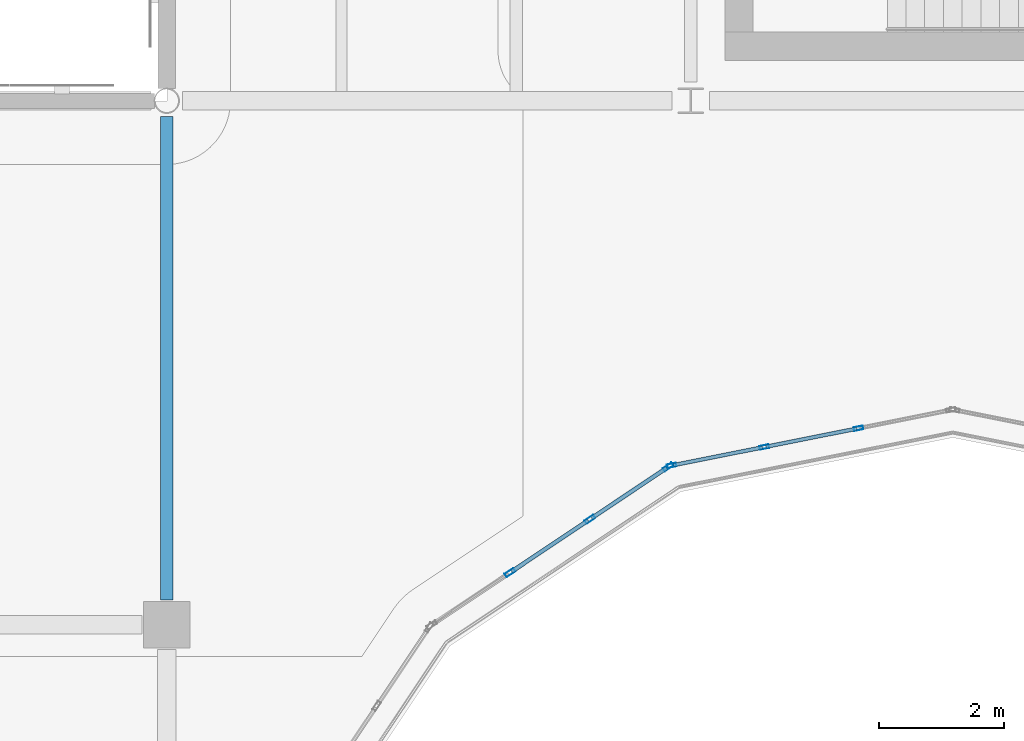
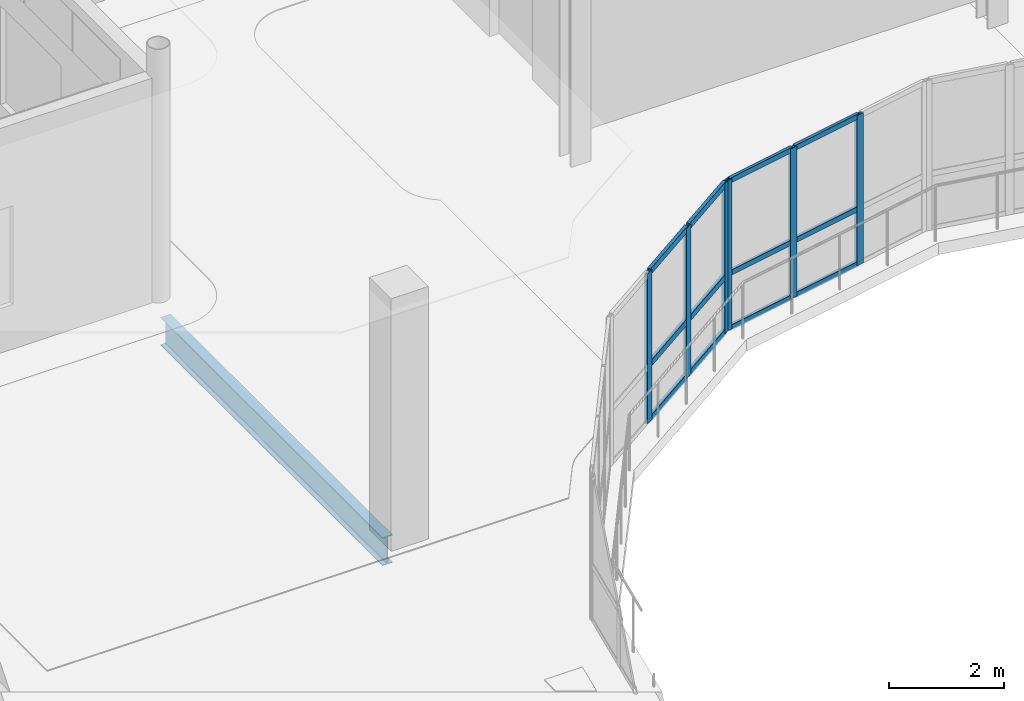
# One storey, part 22 of 110: 18 members, 1 beam, 2 elements without a shape of their own.
"""IFC4 building model written with IfcOpenShell, lengths in metres."""

from ifc_helpers import new_model, si_unit, direction, frame, origin, origin_2d, place, context, subcontext, project, spatial, hollow_rectangle, i_section, extrude, material, layer, layer_set, material_profile, profile_set, type_object, element, aggregate, save


model = new_model("IFC4")

# Units and contexts
model_context = context("Model", 3, precision=1e-05, world=origin(), true_north=direction((0.0, 1.0)))
body_context = subcontext(model_context, "Body", "Model", "MODEL_VIEW")
ifc_project = project(units=[si_unit("LENGTHUNIT", "METRE"), si_unit("AREAUNIT", "SQUARE_METRE"), si_unit("VOLUMEUNIT", "CUBIC_METRE"), si_unit("PLANEANGLEUNIT", "RADIAN"), si_unit("MASSUNIT", "GRAM", prefix="KILO"), si_unit("THERMODYNAMICTEMPERATUREUNIT", "KELVIN")], contexts=[model_context])

# Site, building, storey
site_placement = place(None, origin())
site = spatial("IfcSite", under=ifc_project, at=site_placement, CompositionType="ELEMENT")
building_placement = place(site_placement, origin())
building = spatial("IfcBuilding", under=site, at=building_placement, Name="Lustrewick Department Store", CompositionType="ELEMENT")
storey_placement = place(building_placement, frame((0.0, 0.0, 6.0)))
storey = spatial("IfcBuildingStorey", under=building, at=storey_placement, Name="L02", CompositionType="ELEMENT", Elevation=6.0)

# Curtain wall, members
ifc_material_1 = material(Name="Thermally broken aluminium 6063-T5", Category="aluminium")
ifc_layer_1 = layer(ifc_material_1, 0.169921875, Name="Thermally broken aluminium 6063-T5")
ifc_layer_set_1 = layer_set([ifc_layer_1], Name="Thermally broken aluminium 6063-T5")
curtain_wall_type_1 = type_object("IfcCurtainWallType", Name="CW16", PredefinedType="NOTDEFINED", material=ifc_layer_set_1)
curtain_wall_1_placement = place(storey_placement, origin())
curtain_wall_1 = element("IfcCurtainWall", 1, at=curtain_wall_1_placement, inside=storey, type_object=curtain_wall_type_1, Name="L02 Atrium Glazed Screen CW16", PredefinedType="NOTDEFINED")
ifc_material_profile_1 = material_profile(ifc_material_1, hollow_rectangle(XDim=0.06494140625, YDim=0.169921875, WallThickness=0.00390625, at=origin_2d()), Name="ALU-M 65x170x4")
ifc_profile_set_1 = profile_set([ifc_material_profile_1], Name="Thermally broken aluminium 6063-T5")
member_type_1 = type_object("IfcMemberType", Name="CW16-M1", PredefinedType="MULLION", material=ifc_profile_set_1)
member_1_placement = place(storey_placement, frame((24.838134765625, 78.1298828125, 0.0), z_axis=(0.0, 0.0, 1.0), x_axis=(0.555578313862, -0.831464212799, 0.0)))
member_1 = element("IfcMember", 2, at=member_1_placement, type_object=member_type_1, Name="CW16 mullion 1", PredefinedType="MULLION", context=body_context, shape_type="SweptSolid", body=[
    extrude(hollow_rectangle(XDim=0.06494140625, YDim=0.169921875, WallThickness=0.00390625, at=origin_2d()), origin(), (0.0, 0.0, 1.0), 3.199951171875),
])
member_2_placement = place(storey_placement, frame((23.583740234375, 77.291748046875, 0.0), z_axis=(0.0, 0.0, 1.0), x_axis=(0.555578313862, -0.831464212799, 0.0)))
member_2 = element("IfcMember", 3, at=member_2_placement, type_object=member_type_1, Name="CW16 mullion 2", PredefinedType="MULLION", context=body_context, shape_type="SweptSolid", body=[
    extrude(hollow_rectangle(XDim=0.06494140625, YDim=0.169921875, WallThickness=0.00390625, at=origin_2d()), origin(), (0.0, 0.0, 1.0), 3.199951171875),
])
member_3_placement = place(storey_placement, frame((22.30224609375, 76.435546875, 0.0), z_axis=(0.0, 0.0, 1.0), x_axis=(0.555578313862, -0.831464212799, 0.0)))
member_3 = element("IfcMember", 4, at=member_3_placement, type_object=member_type_1, Name="CW16 mullion 3", PredefinedType="MULLION", context=body_context, shape_type="SweptSolid", body=[
    extrude(hollow_rectangle(XDim=0.06494140625, YDim=0.169921875, WallThickness=0.00390625, at=origin_2d()), origin(), (0.0, 0.0, 1.0), 3.199951171875),
])
ifc_material_profile_2 = material_profile(ifc_material_1, hollow_rectangle(XDim=0.06494140625, YDim=0.1298828125, WallThickness=0.00341796875, at=origin_2d()), Name="ALU-T 65x130x3.5")
ifc_profile_set_2 = profile_set([ifc_material_profile_2], Name="Thermally broken aluminium 6063-T5")
member_type_2 = type_object("IfcMemberType", Name="CW16-T1", PredefinedType="USERDEFINED", material=ifc_profile_set_2)
member_4_placement = place(storey_placement, frame((24.81103515625, 78.11181640625, 0.032470703125), z_axis=(-0.831451344126, -0.555597572305, 0.0), x_axis=(0.555597572305, -0.831451344126, 0.0)))
member_4 = element("IfcMember", 5, at=member_4_placement, type_object=member_type_2, Name="CW16 transom 1.1", ObjectType="TRANSOM", PredefinedType="USERDEFINED", context=body_context, shape_type="SweptSolid", body=[
    extrude(hollow_rectangle(XDim=0.06494140625, YDim=0.1298828125, WallThickness=0.00341796875, at=origin_2d()), origin(), (0.0, 0.0, 1.0), 1.443603515625),
])
member_5_placement = place(storey_placement, frame((24.81103515625, 78.11181640625, 1.199951171875), z_axis=(-0.831451344126, -0.555597572305, 0.0), x_axis=(0.555597572305, -0.831451344126, 0.0)))
member_5 = element("IfcMember", 6, at=member_5_placement, type_object=member_type_2, Name="CW16 transom 1.2", ObjectType="TRANSOM", PredefinedType="USERDEFINED", context=body_context, shape_type="SweptSolid", body=[
    extrude(hollow_rectangle(XDim=0.06494140625, YDim=0.1298828125, WallThickness=0.00341796875, at=origin_2d()), origin(), (0.0, 0.0, 1.0), 1.443603515625),
])
member_6_placement = place(storey_placement, frame((24.81103515625, 78.11181640625, 3.16748046875), z_axis=(-0.831451344126, -0.555597572305, 0.0), x_axis=(0.555597572305, -0.831451344126, 0.0)))
member_6 = element("IfcMember", 7, at=member_6_placement, type_object=member_type_2, Name="CW16 transom 1.3", ObjectType="TRANSOM", PredefinedType="USERDEFINED", context=body_context, shape_type="SweptSolid", body=[
    extrude(hollow_rectangle(XDim=0.06494140625, YDim=0.1298828125, WallThickness=0.00341796875, at=origin_2d()), origin(), (0.0, 0.0, 1.0), 1.443603515625),
])
member_7_placement = place(storey_placement, frame((23.556640625, 77.273681640625, 0.032470703125), z_axis=(-0.831464570536, -0.555577778482, 0.0), x_axis=(0.555577778482, -0.831464570536, 0.0)))
member_7 = element("IfcMember", 8, at=member_7_placement, type_object=member_type_2, Name="CW16 transom 2.1", ObjectType="TRANSOM", PredefinedType="USERDEFINED", context=body_context, shape_type="SweptSolid", body=[
    extrude(hollow_rectangle(XDim=0.06494140625, YDim=0.1298828125, WallThickness=0.00341796875, at=origin_2d()), origin(), (0.0, 0.0, 1.0), 1.47607421875),
])
member_8_placement = place(storey_placement, frame((23.556640625, 77.273681640625, 1.199951171875), z_axis=(-0.831464570536, -0.555577778482, 0.0), x_axis=(0.555577778482, -0.831464570536, 0.0)))
member_8 = element("IfcMember", 9, at=member_8_placement, type_object=member_type_2, Name="CW16 transom 2.2", ObjectType="TRANSOM", PredefinedType="USERDEFINED", context=body_context, shape_type="SweptSolid", body=[
    extrude(hollow_rectangle(XDim=0.06494140625, YDim=0.1298828125, WallThickness=0.00341796875, at=origin_2d()), origin(), (0.0, 0.0, 1.0), 1.47607421875),
])
member_9_placement = place(storey_placement, frame((23.556640625, 77.273681640625, 3.16748046875), z_axis=(-0.831464570536, -0.555577778482, 0.0), x_axis=(0.555577778482, -0.831464570536, 0.0)))
member_9 = element("IfcMember", 10, at=member_9_placement, type_object=member_type_2, Name="CW16 transom 2.3", ObjectType="TRANSOM", PredefinedType="USERDEFINED", context=body_context, shape_type="SweptSolid", body=[
    extrude(hollow_rectangle(XDim=0.06494140625, YDim=0.1298828125, WallThickness=0.00341796875, at=origin_2d()), origin(), (0.0, 0.0, 1.0), 1.47607421875),
])
aggregate(curtain_wall_1, [member_1, member_2, member_3, member_4, member_5, member_6, member_7, member_8, member_9])

ifc_layer_2 = layer(ifc_material_1, 0.14990234375, Name="Thermally broken aluminium 6063-T5")
ifc_layer_set_2 = layer_set([ifc_layer_2], Name="Thermally broken aluminium 6063-T5")
curtain_wall_type_2 = type_object("IfcCurtainWallType", Name="CW18", PredefinedType="NOTDEFINED", material=ifc_layer_set_2)
curtain_wall_2_placement = place(storey_placement, origin())
curtain_wall_2 = element("IfcCurtainWall", 11, at=curtain_wall_2_placement, inside=storey, type_object=curtain_wall_type_2, Name="L02 Atrium Glazed Screen CW18", PredefinedType="NOTDEFINED")
ifc_material_profile_3 = material_profile(ifc_material_1, hollow_rectangle(XDim=0.06005859375, YDim=0.14990234375, WallThickness=0.00341796875, at=origin_2d()), Name="ALU-M 60x150x3.5")
ifc_profile_set_3 = profile_set([ifc_material_profile_3], Name="Thermally broken aluminium 6063-T5")
member_type_3 = type_object("IfcMemberType", Name="CW18-M1", PredefinedType="MULLION", material=ifc_profile_set_3)
member_10_placement = place(storey_placement, frame((27.888427734375, 78.749267578125, 0.0), z_axis=(0.0, 0.0, 1.0), x_axis=(0.195084537521, -0.980786430993, 0.0)))
member_10 = element("IfcMember", 12, at=member_10_placement, type_object=member_type_3, Name="CW18 mullion 2", PredefinedType="MULLION", context=body_context, shape_type="SweptSolid", body=[
    extrude(hollow_rectangle(XDim=0.06005859375, YDim=0.14990234375, WallThickness=0.00341796875, at=origin_2d()), origin(), (0.0, 0.0, 1.0), 3.199951171875),
])
member_11_placement = place(storey_placement, frame((26.376708984375, 78.44873046875, 0.0), z_axis=(0.0, 0.0, 1.0), x_axis=(0.195084537521, -0.980786430993, 0.0)))
member_11 = element("IfcMember", 13, at=member_11_placement, type_object=member_type_3, Name="CW18 mullion 3", PredefinedType="MULLION", context=body_context, shape_type="SweptSolid", body=[
    extrude(hollow_rectangle(XDim=0.06005859375, YDim=0.14990234375, WallThickness=0.00341796875, at=origin_2d()), origin(), (0.0, 0.0, 1.0), 3.199951171875),
])
member_12_placement = place(storey_placement, frame((24.89453125, 78.15380859375, 0.0), z_axis=(0.0, 0.0, 1.0), x_axis=(0.195084537521, -0.980786430993, 0.0)))
member_12 = element("IfcMember", 14, at=member_12_placement, type_object=member_type_3, Name="CW18 mullion 4", PredefinedType="MULLION", context=body_context, shape_type="SweptSolid", body=[
    extrude(hollow_rectangle(XDim=0.06005859375, YDim=0.14990234375, WallThickness=0.00341796875, at=origin_2d()), origin(), (0.0, 0.0, 1.0), 3.199951171875),
])
ifc_material_profile_4 = material_profile(ifc_material_1, hollow_rectangle(XDim=0.06005859375, YDim=0.110107421875, WallThickness=0.0029296875, at=origin_2d()), Name="ALU-T 60x110x3")
ifc_profile_set_4 = profile_set([ifc_material_profile_4], Name="Thermally broken aluminium 6063-T5")
member_type_4 = type_object("IfcMemberType", Name="CW18-T1", PredefinedType="USERDEFINED", material=ifc_profile_set_4)
member_13_placement = place(storey_placement, frame((27.85888671875, 78.743408203125, 0.030029296875), z_axis=(-0.980801948895, -0.195006505133, 0.0), x_axis=(0.195006505133, -0.980801948895, 0.0)))
member_13 = element("IfcMember", 15, at=member_13_placement, type_object=member_type_4, Name="CW18 transom 2.1", ObjectType="TRANSOM", PredefinedType="USERDEFINED", context=body_context, shape_type="SweptSolid", body=[
    extrude(hollow_rectangle(XDim=0.06005859375, YDim=0.110107421875, WallThickness=0.0029296875, at=origin_2d()), origin(), (0.0, 0.0, 1.0), 1.48095703125),
])
member_14_placement = place(storey_placement, frame((27.85888671875, 78.743408203125, 1.199951171875), z_axis=(-0.980801948895, -0.195006505133, 0.0), x_axis=(0.195006505133, -0.980801948895, 0.0)))
member_14 = element("IfcMember", 16, at=member_14_placement, type_object=member_type_4, Name="CW18 transom 2.2", ObjectType="TRANSOM", PredefinedType="USERDEFINED", context=body_context, shape_type="SweptSolid", body=[
    extrude(hollow_rectangle(XDim=0.06005859375, YDim=0.110107421875, WallThickness=0.0029296875, at=origin_2d()), origin(), (0.0, 0.0, 1.0), 1.48095703125),
])
member_15_placement = place(storey_placement, frame((27.85888671875, 78.743408203125, 3.169921875), z_axis=(-0.980801948895, -0.195006505133, 0.0), x_axis=(0.195006505133, -0.980801948895, 0.0)))
member_15 = element("IfcMember", 17, at=member_15_placement, type_object=member_type_4, Name="CW18 transom 2.3", ObjectType="TRANSOM", PredefinedType="USERDEFINED", context=body_context, shape_type="SweptSolid", body=[
    extrude(hollow_rectangle(XDim=0.06005859375, YDim=0.110107421875, WallThickness=0.0029296875, at=origin_2d()), origin(), (0.0, 0.0, 1.0), 1.48095703125),
])
member_16_placement = place(storey_placement, frame((26.347412109375, 78.44287109375, 0.030029296875), z_axis=(-0.980774305612, -0.195145487909, 0.0), x_axis=(0.195145487909, -0.980774305612, 0.0)))
member_16 = element("IfcMember", 18, at=member_16_placement, type_object=member_type_4, Name="CW18 transom 3.1", ObjectType="TRANSOM", PredefinedType="USERDEFINED", context=body_context, shape_type="SweptSolid", body=[
    extrude(hollow_rectangle(XDim=0.06005859375, YDim=0.110107421875, WallThickness=0.0029296875, at=origin_2d()), origin(), (0.0, 0.0, 1.0), 1.451171875),
])
member_17_placement = place(storey_placement, frame((26.347412109375, 78.44287109375, 1.199951171875), z_axis=(-0.980774305612, -0.195145487909, 0.0), x_axis=(0.195145487909, -0.980774305612, 0.0)))
member_17 = element("IfcMember", 19, at=member_17_placement, type_object=member_type_4, Name="CW18 transom 3.2", ObjectType="TRANSOM", PredefinedType="USERDEFINED", context=body_context, shape_type="SweptSolid", body=[
    extrude(hollow_rectangle(XDim=0.06005859375, YDim=0.110107421875, WallThickness=0.0029296875, at=origin_2d()), origin(), (0.0, 0.0, 1.0), 1.451171875),
])
member_18_placement = place(storey_placement, frame((26.347412109375, 78.44287109375, 3.169921875), z_axis=(-0.980774305612, -0.195145487909, 0.0), x_axis=(0.195145487909, -0.980774305612, 0.0)))
member_18 = element("IfcMember", 20, at=member_18_placement, type_object=member_type_4, Name="CW18 transom 3.3", ObjectType="TRANSOM", PredefinedType="USERDEFINED", context=body_context, shape_type="SweptSolid", body=[
    extrude(hollow_rectangle(XDim=0.06005859375, YDim=0.110107421875, WallThickness=0.0029296875, at=origin_2d()), origin(), (0.0, 0.0, 1.0), 1.451171875),
])
aggregate(curtain_wall_2, [member_10, member_11, member_12, member_13, member_14, member_15, member_16, member_17, member_18])

# Beam
ifc_material_2 = material(Name="Structural steel Q355B", Category="steel")
ifc_material_profile_5 = material_profile(ifc_material_2, i_section(OverallWidth=0.199951171875, OverallDepth=0.60009765625, WebThickness=0.010986328125, FlangeThickness=0.01708984375, FilletRadius=0.01806640625, at=origin_2d()), Name="HN 600x200x11x17")
ifc_profile_set_5 = profile_set([ifc_material_profile_5], Name="Structural steel Q355B")
beam_type = type_object("IfcBeamType", Name="G14", PredefinedType="BEAM", material=ifc_profile_set_5)
beam_placement = place(storey_placement, frame((16.800048828125, 76.0, -0.554931640625), z_axis=(0.0, 1.0, 0.0), x_axis=(-1.0, 0.0, 0.0)))
element("IfcBeam", 21, at=beam_placement, inside=storey, type_object=beam_type, Name="L02 V1 Girder G14", PredefinedType="BEAM", context=body_context, shape_type="SweptSolid", body=[
    extrude(i_section(OverallWidth=0.199951171875, OverallDepth=0.60009765625, WebThickness=0.010986328125, FlangeThickness=0.01708984375, FilletRadius=0.01806640625, at=origin_2d()), origin(), (0.0, 0.0, 1.0), 7.74609375),
])

save(model, "model.ifc")
